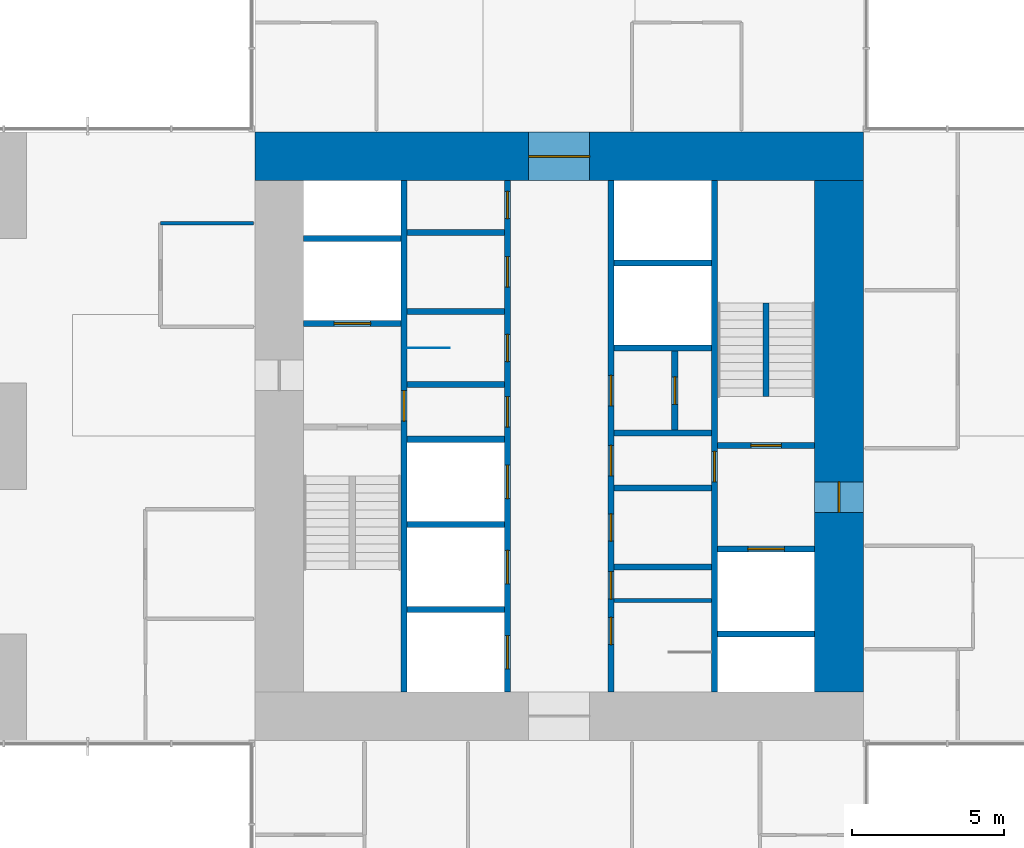
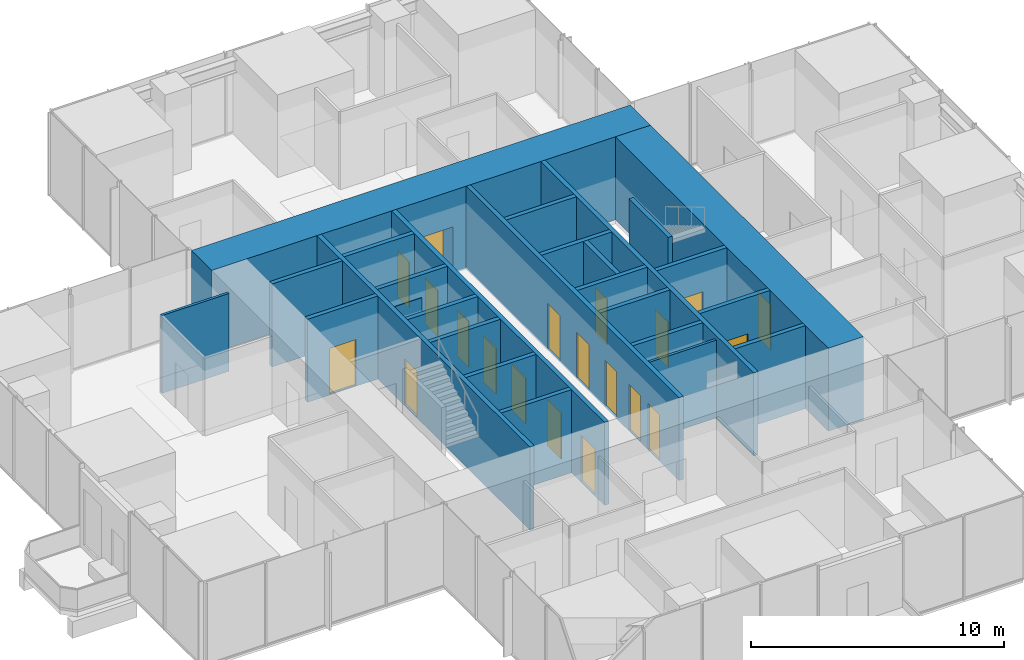
# One storey, part 9 of 13: 27 walls, 20 doors, 20 openings.
"""IFC4 building model written with IfcOpenShell, lengths in metres."""

from ifc_helpers import new_model, si_unit, direction, frame, frame_2d, origin, place, context, subcontext, project, spatial, rectangle, extrude, material, layer, layer_set, type_object, element, fill, save


model = new_model("IFC4")

# Units and contexts
model_context = context("Model", 3, precision=1e-05, world=origin(), true_north=direction((0.0, 1.0)))
body_context = subcontext(model_context, "Body", "Model", "MODEL_VIEW")
ifc_project = project(units=[si_unit("LENGTHUNIT", "METRE"), si_unit("AREAUNIT", "SQUARE_METRE"), si_unit("VOLUMEUNIT", "CUBIC_METRE"), si_unit("PLANEANGLEUNIT", "RADIAN"), si_unit("MASSUNIT", "GRAM", prefix="KILO")], contexts=[model_context])

# Site, building, storey
site_placement = place(None, origin())
site = spatial("IfcSite", under=ifc_project, at=site_placement, CompositionType="ELEMENT")
building_placement = place(site_placement, origin())
building = spatial("IfcBuilding", under=site, at=building_placement, Name="Svetlomir Tower", CompositionType="ELEMENT")
storey_placement = place(building_placement, frame((0.0, 0.0, 96.5)))
storey = spatial("IfcBuildingStorey", under=building, at=storey_placement, Name="L22", CompositionType="ELEMENT", Elevation=96.5)

# Wall, opening, door
ifc_material_1 = material(Name="Concrete C60/75", Category="concrete")
ifc_layer_1 = layer(ifc_material_1, 0.199951171875)
ifc_layer_set_1 = layer_set([ifc_layer_1], Name="Concrete C60/75")
wall_type_1 = type_object("IfcWallType", Name="CORE INNER WALL 200", PredefinedType="SHEAR", material=ifc_layer_set_1)
wall_1_placement = place(storey_placement, frame((15.89990234375, 12.60009765625, -0.050048828125), z_axis=(0.0, 0.0, 1.0), x_axis=(0.0, 1.0, 0.0)))
wall_1 = element("IfcWall", 1, at=wall_1_placement, inside=storey, type_object=wall_type_1, Name="Core inner wall 15.9 L22", PredefinedType="SHEAR", context=body_context, shape_type="SweptSolid", body=[
    extrude(rectangle(XDim=16.7998046875, YDim=0.199951171875, at=frame_2d((8.39990234375, 0.0))), origin(), (0.0, 0.0, 1.0), 4.0),
])
opening_1_placement = place(wall_1_placement, frame((8.89990234375, 0.0, 0.050048828125)))
opening_1 = element("IfcOpeningElement", 2, at=opening_1_placement, cuts=wall_1, Name="Opening DF", PredefinedType="OPENING", context=body_context, shape_type="SweptSolid", body=[
    extrude(rectangle(XDim=1.0, YDim=2.199951171875, at=frame_2d((0.5, 1.10009765625))), frame((0.0, 0.10986328125, 0.0), z_axis=(0.0, -1.0, 0.0), x_axis=(1.0, 0.0, 0.0)), (0.0, 0.0, 1.0), 0.219970703125),
])
ifc_material_2 = material(Name="Steel fire door", Category="steel")
door_type_1 = type_object("IfcDoorType", Name="DOOR DF 1000x2200", OperationType="SINGLE_SWING_LEFT", PredefinedType="DOOR", material=ifc_material_2)
door_1_placement = place(opening_1_placement, origin())
door_1 = element("IfcDoor", 3, at=door_1_placement, inside=storey, type_object=door_type_1, Name="Core corridor west door L22", OperationType="SINGLE_SWING_LEFT", OverallHeight=2.199951171875, OverallWidth=1.0, PredefinedType="DOOR", context=body_context, shape_type="SweptSolid", body=[
    extrude(rectangle(XDim=1.0, YDim=2.199951171875, at=frame_2d((0.5, 1.10009765625))), frame((0.0, 0.02490234375, 0.0), z_axis=(0.0, -1.0, 0.0), x_axis=(1.0, 0.0, 0.0)), (0.0, 0.0, 1.0), 0.050048828125),
])
fill(opening_1, door_1)

# Wall, openings, doors
wall_2_placement = place(storey_placement, frame((19.300048828125, 12.60009765625, -0.050048828125), z_axis=(0.0, 0.0, 1.0), x_axis=(0.0, 1.0, 0.0)))
wall_2 = element("IfcWall", 4, at=wall_2_placement, inside=storey, type_object=wall_type_1, Name="Core inner wall 19.3 L22", PredefinedType="SHEAR", context=body_context, shape_type="SweptSolid", body=[
    extrude(rectangle(XDim=16.7998046875, YDim=0.199951171875, at=frame_2d((8.39990234375, 0.0))), origin(), (0.0, 0.0, 1.0), 4.0),
])
opening_2_placement = place(wall_2_placement, frame((8.699951171875, 0.0, 0.050048828125)))
opening_2 = element("IfcOpeningElement", 5, at=opening_2_placement, cuts=wall_2, Name="Opening DC", PredefinedType="OPENING", context=body_context, shape_type="SweptSolid", body=[
    extrude(rectangle(XDim=1.0, YDim=2.199951171875, at=frame_2d((0.5, 1.10009765625))), frame((0.0, 0.10986328125, 0.0), z_axis=(0.0, -1.0, 0.0), x_axis=(1.0, 0.0, 0.0)), (0.0, 0.0, 1.0), 0.219970703125),
])
opening_3_placement = place(wall_2_placement, frame((10.85009765625, 0.0, 0.050048828125)))
opening_3 = element("IfcOpeningElement", 6, at=opening_3_placement, cuts=wall_2, Name="Opening DW", PredefinedType="OPENING", context=body_context, shape_type="SweptSolid", body=[
    extrude(rectangle(XDim=0.89990234375, YDim=2.199951171875, at=frame_2d((0.449951171875, 1.10009765625))), frame((0.0, 0.10986328125, 0.0), z_axis=(0.0, -1.0, 0.0), x_axis=(1.0, 0.0, 0.0)), (0.0, 0.0, 1.0), 0.219970703125),
])
opening_4_placement = place(wall_2_placement, frame((13.300048828125, 0.0, 0.050048828125)))
opening_4 = element("IfcOpeningElement", 7, at=opening_4_placement, cuts=wall_2, Name="Opening DC", PredefinedType="OPENING", context=body_context, shape_type="SweptSolid", body=[
    extrude(rectangle(XDim=1.0, YDim=2.199951171875, at=frame_2d((0.5, 1.10009765625))), frame((0.0, 0.10986328125, 0.0), z_axis=(0.0, -1.0, 0.0), x_axis=(1.0, 0.0, 0.0)), (0.0, 0.0, 1.0), 0.219970703125),
])
opening_5_placement = place(wall_2_placement, frame((15.550048828125, 0.0, 0.050048828125)))
opening_5 = element("IfcOpeningElement", 8, at=opening_5_placement, cuts=wall_2, Name="Opening DW", PredefinedType="OPENING", context=body_context, shape_type="SweptSolid", body=[
    extrude(rectangle(XDim=0.89990234375, YDim=2.199951171875, at=frame_2d((0.449951171875, 1.10009765625))), frame((0.0, 0.10986328125, 0.0), z_axis=(0.0, -1.0, 0.0), x_axis=(1.0, 0.0, 0.0)), (0.0, 0.0, 1.0), 0.219970703125),
])
opening_6_placement = place(wall_2_placement, frame((0.75, 0.0, 0.050048828125)))
opening_6 = element("IfcOpeningElement", 9, at=opening_6_placement, cuts=wall_2, Name="Opening LD", PredefinedType="OPENING", context=body_context, shape_type="SweptSolid", body=[
    extrude(rectangle(XDim=1.10009765625, YDim=2.199951171875, at=frame_2d((0.550048828125, 1.10009765625))), frame((0.0, 0.10986328125, 0.0), z_axis=(0.0, -1.0, 0.0), x_axis=(1.0, 0.0, 0.0)), (0.0, 0.0, 1.0), 0.219970703125),
])
opening_7_placement = place(wall_2_placement, frame((3.550048828125, 0.0, 0.050048828125)))
opening_7 = element("IfcOpeningElement", 10, at=opening_7_placement, cuts=wall_2, Name="Opening LD", PredefinedType="OPENING", context=body_context, shape_type="SweptSolid", body=[
    extrude(rectangle(XDim=1.10009765625, YDim=2.199951171875, at=frame_2d((0.550048828125, 1.10009765625))), frame((0.0, 0.10986328125, 0.0), z_axis=(0.0, -1.0, 0.0), x_axis=(1.0, 0.0, 0.0)), (0.0, 0.0, 1.0), 0.219970703125),
])
opening_8_placement = place(wall_2_placement, frame((6.35009765625, 0.0, 0.050048828125)))
opening_8 = element("IfcOpeningElement", 11, at=opening_8_placement, cuts=wall_2, Name="Opening LD", PredefinedType="OPENING", context=body_context, shape_type="SweptSolid", body=[
    extrude(rectangle(XDim=1.10009765625, YDim=2.199951171875, at=frame_2d((0.550048828125, 1.10009765625))), frame((0.0, 0.10986328125, 0.0), z_axis=(0.0, -1.0, 0.0), x_axis=(1.0, 0.0, 0.0)), (0.0, 0.0, 1.0), 0.219970703125),
])
ifc_material_3 = material(Name="Timber fire door", Category="wood")
door_type_2 = type_object("IfcDoorType", Name="DOOR DC 1000x2200", OperationType="SINGLE_SWING_LEFT", PredefinedType="DOOR", material=ifc_material_3)
door_2_placement = place(opening_2_placement, origin())
door_2 = element("IfcDoor", 12, at=door_2_placement, inside=storey, type_object=door_type_2, Name="Core corridor west lobby door L22", OperationType="SINGLE_SWING_RIGHT", OverallHeight=2.199951171875, OverallWidth=1.0, PredefinedType="DOOR", context=body_context, shape_type="SweptSolid", body=[
    extrude(rectangle(XDim=1.0, YDim=2.199951171875, at=frame_2d((0.5, 1.10009765625))), frame((0.0, 0.02490234375, 0.0), z_axis=(0.0, -1.0, 0.0), x_axis=(1.0, 0.0, 0.0)), (0.0, 0.0, 1.0), 0.050048828125),
])
fill(opening_2, door_2)
door_3_placement = place(opening_4_placement, origin())
door_3 = element("IfcDoor", 13, at=door_3_placement, inside=storey, type_object=door_type_2, Name="Accessible WC door L22", OperationType="SINGLE_SWING_LEFT", OverallHeight=2.199951171875, OverallWidth=1.0, PredefinedType="DOOR", context=body_context, shape_type="SweptSolid", body=[
    extrude(rectangle(XDim=1.0, YDim=2.199951171875, at=frame_2d((0.5, 1.10009765625))), frame((0.0, 0.02490234375, 0.0), z_axis=(0.0, -1.0, 0.0), x_axis=(1.0, 0.0, 0.0)), (0.0, 0.0, 1.0), 0.050048828125),
])
fill(opening_4, door_3)
ifc_material_4 = material(Name="Timber fire door", Category="wood")
door_type_3 = type_object("IfcDoorType", Name="DOOR DW 900x2200", OperationType="SINGLE_SWING_LEFT", PredefinedType="DOOR", material=ifc_material_4)
door_4_placement = place(opening_3_placement, origin())
door_4 = element("IfcDoor", 14, at=door_4_placement, inside=storey, type_object=door_type_3, Name="Female WC door L22", OperationType="SINGLE_SWING_RIGHT", OverallHeight=2.199951171875, OverallWidth=0.89990234375, PredefinedType="DOOR", context=body_context, shape_type="SweptSolid", body=[
    extrude(rectangle(XDim=0.89990234375, YDim=2.199951171875, at=frame_2d((0.449951171875, 1.10009765625))), frame((0.0, 0.02490234375, 0.0), z_axis=(0.0, -1.0, 0.0), x_axis=(1.0, 0.0, 0.0)), (0.0, 0.0, 1.0), 0.050048828125),
])
fill(opening_3, door_4)
door_5_placement = place(opening_5_placement, origin())
door_5 = element("IfcDoor", 15, at=door_5_placement, inside=storey, type_object=door_type_3, Name="First aid room door L22", OperationType="SINGLE_SWING_RIGHT", OverallHeight=2.199951171875, OverallWidth=0.89990234375, PredefinedType="DOOR", context=body_context, shape_type="SweptSolid", body=[
    extrude(rectangle(XDim=0.89990234375, YDim=2.199951171875, at=frame_2d((0.449951171875, 1.10009765625))), frame((0.0, 0.02490234375, 0.0), z_axis=(0.0, -1.0, 0.0), x_axis=(1.0, 0.0, 0.0)), (0.0, 0.0, 1.0), 0.050048828125),
])
fill(opening_5, door_5)
ifc_material_5 = material(Name="Stainless steel landing door", Category="steel")
door_type_4 = type_object("IfcDoorType", Name="LIFT LANDING DOOR LD 1100x2200", OperationType="DOUBLE_DOOR_SLIDING", PredefinedType="DOOR", material=ifc_material_5)
door_6_placement = place(opening_6_placement, origin())
door_6 = element("IfcDoor", 16, at=door_6_placement, inside=storey, type_object=door_type_4, Name="Landing door lift LB1 L22", OperationType="DOUBLE_DOOR_SLIDING", OverallHeight=2.199951171875, OverallWidth=1.10009765625, PredefinedType="DOOR", context=body_context, shape_type="SweptSolid", body=[
    extrude(rectangle(XDim=1.10009765625, YDim=2.199951171875, at=frame_2d((0.550048828125, 1.10009765625))), frame((0.0, 0.02490234375, 0.0), z_axis=(0.0, -1.0, 0.0), x_axis=(1.0, 0.0, 0.0)), (0.0, 0.0, 1.0), 0.050048828125),
])
fill(opening_6, door_6)
door_7_placement = place(opening_7_placement, origin())
door_7 = element("IfcDoor", 17, at=door_7_placement, inside=storey, type_object=door_type_4, Name="Landing door lift LB2 L22", OperationType="DOUBLE_DOOR_SLIDING", OverallHeight=2.199951171875, OverallWidth=1.10009765625, PredefinedType="DOOR", context=body_context, shape_type="SweptSolid", body=[
    extrude(rectangle(XDim=1.10009765625, YDim=2.199951171875, at=frame_2d((0.550048828125, 1.10009765625))), frame((0.0, 0.02490234375, 0.0), z_axis=(0.0, -1.0, 0.0), x_axis=(1.0, 0.0, 0.0)), (0.0, 0.0, 1.0), 0.050048828125),
])
fill(opening_7, door_7)
door_8_placement = place(opening_8_placement, origin())
door_8 = element("IfcDoor", 18, at=door_8_placement, inside=storey, type_object=door_type_4, Name="Landing door lift LB3 L22", OperationType="DOUBLE_DOOR_SLIDING", OverallHeight=2.199951171875, OverallWidth=1.10009765625, PredefinedType="DOOR", context=body_context, shape_type="SweptSolid", body=[
    extrude(rectangle(XDim=1.10009765625, YDim=2.199951171875, at=frame_2d((0.550048828125, 1.10009765625))), frame((0.0, 0.02490234375, 0.0), z_axis=(0.0, -1.0, 0.0), x_axis=(1.0, 0.0, 0.0)), (0.0, 0.0, 1.0), 0.050048828125),
])
fill(opening_8, door_8)

wall_3_placement = place(storey_placement, frame((22.699951171875, 12.60009765625, -0.050048828125), z_axis=(0.0, 0.0, 1.0), x_axis=(0.0, 1.0, 0.0)))
wall_3 = element("IfcWall", 19, at=wall_3_placement, inside=storey, type_object=wall_type_1, Name="Core inner wall 22.7 L22", PredefinedType="SHEAR", context=body_context, shape_type="SweptSolid", body=[
    extrude(rectangle(XDim=16.7998046875, YDim=0.199951171875, at=frame_2d((8.39990234375, 0.0))), origin(), (0.0, 0.0, 1.0), 4.0),
])
opening_9_placement = place(wall_3_placement, frame((3.050048828125, 0.0, 0.050048828125)))
opening_9 = element("IfcOpeningElement", 20, at=opening_9_placement, cuts=wall_3, Name="Opening DW", PredefinedType="OPENING", context=body_context, shape_type="SweptSolid", body=[
    extrude(rectangle(XDim=0.89990234375, YDim=2.199951171875, at=frame_2d((0.449951171875, 1.10009765625))), frame((0.0, 0.10986328125, 0.0), z_axis=(0.0, -1.0, 0.0), x_axis=(1.0, 0.0, 0.0)), (0.0, 0.0, 1.0), 0.219970703125),
])
opening_10_placement = place(wall_3_placement, frame((7.10009765625, 0.0, 0.050048828125)))
opening_10 = element("IfcOpeningElement", 21, at=opening_10_placement, cuts=wall_3, Name="Opening DC", PredefinedType="OPENING", context=body_context, shape_type="SweptSolid", body=[
    extrude(rectangle(XDim=1.0, YDim=2.199951171875, at=frame_2d((0.5, 1.10009765625))), frame((0.0, 0.10986328125, 0.0), z_axis=(0.0, -1.0, 0.0), x_axis=(1.0, 0.0, 0.0)), (0.0, 0.0, 1.0), 0.219970703125),
])
opening_11_placement = place(wall_3_placement, frame((1.550048828125, 0.0, 0.050048828125)))
opening_11 = element("IfcOpeningElement", 22, at=opening_11_placement, cuts=wall_3, Name="Opening DW", PredefinedType="OPENING", context=body_context, shape_type="SweptSolid", body=[
    extrude(rectangle(XDim=0.89990234375, YDim=2.199951171875, at=frame_2d((0.449951171875, 1.10009765625))), frame((0.0, 0.10986328125, 0.0), z_axis=(0.0, -1.0, 0.0), x_axis=(1.0, 0.0, 0.0)), (0.0, 0.0, 1.0), 0.219970703125),
])
opening_12_placement = place(wall_3_placement, frame((4.949951171875, 0.0, 0.050048828125)))
opening_12 = element("IfcOpeningElement", 23, at=opening_12_placement, cuts=wall_3, Name="Opening DW", PredefinedType="OPENING", context=body_context, shape_type="SweptSolid", body=[
    extrude(rectangle(XDim=0.89990234375, YDim=2.199951171875, at=frame_2d((0.449951171875, 1.10009765625))), frame((0.0, 0.10986328125, 0.0), z_axis=(0.0, -1.0, 0.0), x_axis=(1.0, 0.0, 0.0)), (0.0, 0.0, 1.0), 0.219970703125),
])
opening_13_placement = place(wall_3_placement, frame((9.39990234375, 0.0, 0.050048828125)))
opening_13 = element("IfcOpeningElement", 24, at=opening_13_placement, cuts=wall_3, Name="Opening DC", PredefinedType="OPENING", context=body_context, shape_type="SweptSolid", body=[
    extrude(rectangle(XDim=1.0, YDim=2.199951171875, at=frame_2d((0.5, 1.10009765625))), frame((0.0, 0.10986328125, 0.0), z_axis=(0.0, -1.0, 0.0), x_axis=(1.0, 0.0, 0.0)), (0.0, 0.0, 1.0), 0.219970703125),
])
door_9_placement = place(opening_10_placement, origin())
door_9 = element("IfcDoor", 25, at=door_9_placement, inside=storey, type_object=door_type_2, Name="Core corridor east lobby door L22", OperationType="SINGLE_SWING_LEFT", OverallHeight=2.199951171875, OverallWidth=1.0, PredefinedType="DOOR", context=body_context, shape_type="SweptSolid", body=[
    extrude(rectangle(XDim=1.0, YDim=2.199951171875, at=frame_2d((0.5, 1.10009765625))), frame((0.0, 0.02490234375, 0.0), z_axis=(0.0, -1.0, 0.0), x_axis=(1.0, 0.0, 0.0)), (0.0, 0.0, 1.0), 0.050048828125),
])
fill(opening_10, door_9)
door_10_placement = place(opening_13_placement, origin())
door_10 = element("IfcDoor", 26, at=door_10_placement, inside=storey, type_object=door_type_2, Name="Converted shaft BANK-E1 room door L22", OperationType="SINGLE_SWING_LEFT", OverallHeight=2.199951171875, OverallWidth=1.0, PredefinedType="DOOR", context=body_context, shape_type="SweptSolid", body=[
    extrude(rectangle(XDim=1.0, YDim=2.199951171875, at=frame_2d((0.5, 1.10009765625))), frame((0.0, 0.02490234375, 0.0), z_axis=(0.0, -1.0, 0.0), x_axis=(1.0, 0.0, 0.0)), (0.0, 0.0, 1.0), 0.050048828125),
])
fill(opening_13, door_10)
door_11_placement = place(opening_9_placement, origin())
door_11 = element("IfcDoor", 27, at=door_11_placement, inside=storey, type_object=door_type_3, Name="Shower and changing room door L22", OperationType="SINGLE_SWING_LEFT", OverallHeight=2.199951171875, OverallWidth=0.89990234375, PredefinedType="DOOR", context=body_context, shape_type="SweptSolid", body=[
    extrude(rectangle(XDim=0.89990234375, YDim=2.199951171875, at=frame_2d((0.449951171875, 1.10009765625))), frame((0.0, 0.02490234375, 0.0), z_axis=(0.0, -1.0, 0.0), x_axis=(1.0, 0.0, 0.0)), (0.0, 0.0, 1.0), 0.050048828125),
])
fill(opening_9, door_11)
door_12_placement = place(opening_11_placement, origin())
door_12 = element("IfcDoor", 28, at=door_12_placement, inside=storey, type_object=door_type_3, Name="Male WC door L22", OperationType="SINGLE_SWING_RIGHT", OverallHeight=2.199951171875, OverallWidth=0.89990234375, PredefinedType="DOOR", context=body_context, shape_type="SweptSolid", body=[
    extrude(rectangle(XDim=0.89990234375, YDim=2.199951171875, at=frame_2d((0.449951171875, 1.10009765625))), frame((0.0, 0.02490234375, 0.0), z_axis=(0.0, -1.0, 0.0), x_axis=(1.0, 0.0, 0.0)), (0.0, 0.0, 1.0), 0.050048828125),
])
fill(opening_11, door_12)
door_13_placement = place(opening_12_placement, origin())
door_13 = element("IfcDoor", 29, at=door_13_placement, inside=storey, type_object=door_type_3, Name="Comms room door L22", OperationType="SINGLE_SWING_RIGHT", OverallHeight=2.199951171875, OverallWidth=0.89990234375, PredefinedType="DOOR", context=body_context, shape_type="SweptSolid", body=[
    extrude(rectangle(XDim=0.89990234375, YDim=2.199951171875, at=frame_2d((0.449951171875, 1.10009765625))), frame((0.0, 0.02490234375, 0.0), z_axis=(0.0, -1.0, 0.0), x_axis=(1.0, 0.0, 0.0)), (0.0, 0.0, 1.0), 0.050048828125),
])
fill(opening_12, door_13)

# Wall, opening, door
wall_4_placement = place(storey_placement, frame((26.10009765625, 12.60009765625, -0.050048828125), z_axis=(0.0, 0.0, 1.0), x_axis=(0.0, 1.0, 0.0)))
wall_4 = element("IfcWall", 30, at=wall_4_placement, inside=storey, type_object=wall_type_1, Name="Core inner wall 26.1 L22", PredefinedType="SHEAR", context=body_context, shape_type="SweptSolid", body=[
    extrude(rectangle(XDim=16.7998046875, YDim=0.199951171875, at=frame_2d((8.39990234375, 0.0))), origin(), (0.0, 0.0, 1.0), 4.0),
])
opening_14_placement = place(wall_4_placement, frame((6.89990234375, 0.0, 0.050048828125)))
opening_14 = element("IfcOpeningElement", 31, at=opening_14_placement, cuts=wall_4, Name="Opening DF", PredefinedType="OPENING", context=body_context, shape_type="SweptSolid", body=[
    extrude(rectangle(XDim=1.0, YDim=2.199951171875, at=frame_2d((0.5, 1.10009765625))), frame((0.0, 0.10986328125, 0.0), z_axis=(0.0, -1.0, 0.0), x_axis=(1.0, 0.0, 0.0)), (0.0, 0.0, 1.0), 0.219970703125),
])
door_14_placement = place(opening_14_placement, origin())
door_14 = element("IfcDoor", 32, at=door_14_placement, inside=storey, type_object=door_type_1, Name="Core corridor east door L22", OperationType="SINGLE_SWING_LEFT", OverallHeight=2.199951171875, OverallWidth=1.0, PredefinedType="DOOR", context=body_context, shape_type="SweptSolid", body=[
    extrude(rectangle(XDim=1.0, YDim=2.199951171875, at=frame_2d((0.5, 1.10009765625))), frame((0.0, 0.02490234375, 0.0), z_axis=(0.0, -1.0, 0.0), x_axis=(1.0, 0.0, 0.0)), (0.0, 0.0, 1.0), 0.050048828125),
])
fill(opening_14, door_14)

wall_5_placement = place(storey_placement, frame((12.60009765625, 24.699951171875, -0.050048828125), z_axis=(0.0, 0.0, 1.0), x_axis=(1.0, 0.0, 0.0)))
wall_5 = element("IfcWall", 33, at=wall_5_placement, inside=storey, type_object=wall_type_1, Name="Core inner wall 12.6-15.8/24.7 L22", PredefinedType="SHEAR", context=body_context, shape_type="SweptSolid", body=[
    extrude(rectangle(XDim=3.199951171875, YDim=0.199951171875, at=frame_2d((1.60009765625, 0.0))), origin(), (0.0, 0.0, 1.0), 4.0),
])
opening_15_placement = place(wall_5_placement, frame((1.0, 0.0, 0.050048828125)))
opening_15 = element("IfcOpeningElement", 34, at=opening_15_placement, cuts=wall_5, Name="Opening LD3", PredefinedType="OPENING", context=body_context, shape_type="SweptSolid", body=[
    extrude(rectangle(XDim=1.199951171875, YDim=2.199951171875, at=frame_2d((0.60009765625, 1.10009765625))), frame((0.0, 0.10986328125, 0.0), z_axis=(0.0, -1.0, 0.0), x_axis=(1.0, 0.0, 0.0)), (0.0, 0.0, 1.0), 0.219970703125),
])
ifc_material_6 = material(Name="Stainless steel fire-rated landing door", Category="steel")
door_type_5 = type_object("IfcDoorType", Name="FIREFIGHTING LIFT LANDING DOOR LD3 1200x2200", OperationType="DOUBLE_DOOR_SLIDING", PredefinedType="DOOR", material=ifc_material_6)
door_15_placement = place(opening_15_placement, origin())
door_15 = element("IfcDoor", 35, at=door_15_placement, inside=storey, type_object=door_type_5, Name="Landing door lift FL1 L22", OperationType="DOUBLE_DOOR_SLIDING", OverallHeight=2.199951171875, OverallWidth=1.199951171875, PredefinedType="DOOR", context=body_context, shape_type="SweptSolid", body=[
    extrude(rectangle(XDim=1.199951171875, YDim=2.199951171875, at=frame_2d((0.60009765625, 1.10009765625))), frame((0.0, 0.02490234375, 0.0), z_axis=(0.0, -1.0, 0.0), x_axis=(1.0, 0.0, 0.0)), (0.0, 0.0, 1.0), 0.050048828125),
])
fill(opening_15, door_15)

# Walls
for number, where, z_axis, x_axis, name in (
    (36, (12.60009765625, 27.5, -0.050048828125), (0.0, 0.0, 1.0), (1.0, 0.0, 0.0), "Core inner wall 12.6-15.8/27.5 L22"),
    (37, (16.0, 15.300048828125, -0.050048828125), (0.0, 0.0, 1.0), (1.0, 0.0, 0.0), "Core inner wall 16-19.2/15.3 L22"),
    (38, (16.0, 18.10009765625, -0.050048828125), (0.0, 0.0, 1.0), (1.0, 0.0, 0.0), "Core inner wall 16-19.2/18.1 L22"),
    (39, (16.0, 20.89990234375, -0.050048828125), (0.0, 0.0, 1.0), (1.0, 0.0, 0.0), "Core inner wall 16-19.2/20.9 L22"),
    (40, (16.0, 22.699951171875, -0.050048828125), (0.0, 0.0, 1.0), (1.0, 0.0, 0.0), "Core inner wall 16-19.2/22.7 L22"),
    (41, (16.0, 25.10009765625, -0.050048828125), (0.0, 0.0, 1.0), (1.0, 0.0, 0.0), "Core inner wall 16-19.2/25.1 L22"),
    (42, (16.0, 27.699951171875, -0.050048828125), (0.0, 0.0, 1.0), (1.0, 0.0, 0.0), "Core inner wall 16-19.2/27.7 L22"),
    (43, (22.800048828125, 16.699951171875, -0.050048828125), (0.0, 0.0, 1.0), (1.0, 0.0, 0.0), "Core inner wall 22.8-26/16.7 L22"),
    (44, (22.800048828125, 19.300048828125, -0.050048828125), (0.0, 0.0, 1.0), (1.0, 0.0, 0.0), "Core inner wall 22.8-26/19.3 L22"),
    (45, (22.800048828125, 21.10009765625, -0.050048828125), (0.0, 0.0, 1.0), (1.0, 0.0, 0.0), "Core inner wall 22.8-26/21.1 L22"),
    (46, (22.800048828125, 23.89990234375, -0.050048828125), (0.0, 0.0, 1.0), (1.0, 0.0, 0.0), "Core inner wall 22.8-26/23.9 L22"),
    (47, (22.800048828125, 26.699951171875, -0.050048828125), (0.0, 0.0, 1.0), (1.0, 0.0, 0.0), "Core inner wall 22.8-26/26.7 L22"),
    (48, (26.199951171875, 14.5, -0.050048828125), (0.0, 0.0, 1.0), (1.0, 0.0, 0.0), "Core inner wall 26.2-29.4/14.5 L22"),
):
    element("IfcWall", number, at=place(storey_placement, frame(where, z_axis=z_axis, x_axis=x_axis)), inside=storey, type_object=wall_type_1, Name=name, PredefinedType="SHEAR", context=body_context, shape_type="SweptSolid", body=[
        extrude(rectangle(XDim=3.199951171875, YDim=0.199951171875, at=frame_2d((1.60009765625, 0.0))), origin(), (0.0, 0.0, 1.0), 4.0),
    ])

# Wall, opening, door
wall_6_placement = place(storey_placement, frame((26.199951171875, 17.300048828125, -0.050048828125), z_axis=(0.0, 0.0, 1.0), x_axis=(1.0, 0.0, 0.0)))
wall_6 = element("IfcWall", 49, at=wall_6_placement, inside=storey, type_object=wall_type_1, Name="Core inner wall 26.2-29.4/17.3 L22", PredefinedType="SHEAR", context=body_context, shape_type="SweptSolid", body=[
    extrude(rectangle(XDim=3.199951171875, YDim=0.199951171875, at=frame_2d((1.60009765625, 0.0))), origin(), (0.0, 0.0, 1.0), 4.0),
])
opening_16_placement = place(wall_6_placement, frame((1.0, 0.0, 0.050048828125)))
opening_16 = element("IfcOpeningElement", 50, at=opening_16_placement, cuts=wall_6, Name="Opening LD3", PredefinedType="OPENING", context=body_context, shape_type="SweptSolid", body=[
    extrude(rectangle(XDim=1.199951171875, YDim=2.199951171875, at=frame_2d((0.60009765625, 1.10009765625))), frame((0.0, 0.10986328125, 0.0), z_axis=(0.0, -1.0, 0.0), x_axis=(1.0, 0.0, 0.0)), (0.0, 0.0, 1.0), 0.219970703125),
])
door_16_placement = place(opening_16_placement, origin())
door_16 = element("IfcDoor", 51, at=door_16_placement, inside=storey, type_object=door_type_5, Name="Landing door lift FL2 L22", OperationType="DOUBLE_DOOR_SLIDING", OverallHeight=2.199951171875, OverallWidth=1.199951171875, PredefinedType="DOOR", context=body_context, shape_type="SweptSolid", body=[
    extrude(rectangle(XDim=1.199951171875, YDim=2.199951171875, at=frame_2d((0.60009765625, 1.10009765625))), frame((0.0, 0.02490234375, 0.0), z_axis=(0.0, -1.0, 0.0), x_axis=(1.0, 0.0, 0.0)), (0.0, 0.0, 1.0), 0.050048828125),
])
fill(opening_16, door_16)

wall_7_placement = place(storey_placement, frame((26.199951171875, 20.699951171875, -0.050048828125), z_axis=(0.0, 0.0, 1.0), x_axis=(1.0, 0.0, 0.0)))
wall_7 = element("IfcWall", 52, at=wall_7_placement, inside=storey, type_object=wall_type_1, Name="Core inner wall 26.2-29.4/20.7 L22", PredefinedType="SHEAR", context=body_context, shape_type="SweptSolid", body=[
    extrude(rectangle(XDim=3.199951171875, YDim=0.199951171875, at=frame_2d((1.60009765625, 0.0))), origin(), (0.0, 0.0, 1.0), 4.0),
])
opening_17_placement = place(wall_7_placement, frame((1.10009765625, 0.0, 0.050048828125)))
opening_17 = element("IfcOpeningElement", 53, at=opening_17_placement, cuts=wall_7, Name="Opening DF", PredefinedType="OPENING", context=body_context, shape_type="SweptSolid", body=[
    extrude(rectangle(XDim=1.0, YDim=2.199951171875, at=frame_2d((0.5, 1.10009765625))), frame((0.0, 0.10986328125, 0.0), z_axis=(0.0, -1.0, 0.0), x_axis=(1.0, 0.0, 0.0)), (0.0, 0.0, 1.0), 0.219970703125),
])
door_17_placement = place(opening_17_placement, origin())
door_17 = element("IfcDoor", 54, at=door_17_placement, inside=storey, type_object=door_type_1, Name="Stair S2 door L22", OperationType="SINGLE_SWING_LEFT", OverallHeight=2.199951171875, OverallWidth=1.0, PredefinedType="DOOR", context=body_context, shape_type="SweptSolid", body=[
    extrude(rectangle(XDim=1.0, YDim=2.199951171875, at=frame_2d((0.5, 1.10009765625))), frame((0.0, 0.02490234375, 0.0), z_axis=(0.0, -1.0, 0.0), x_axis=(1.0, 0.0, 0.0)), (0.0, 0.0, 1.0), 0.050048828125),
])
fill(opening_17, door_17)

wall_8_placement = place(storey_placement, frame((24.800048828125, 21.199951171875, -0.050048828125), z_axis=(0.0, 0.0, 1.0), x_axis=(0.0, 1.0, 0.0)))
wall_8 = element("IfcWall", 55, at=wall_8_placement, inside=storey, type_object=wall_type_1, Name="Core inner wall 24.8/21.2-23.8 L22", PredefinedType="SHEAR", context=body_context, shape_type="SweptSolid", body=[
    extrude(rectangle(XDim=2.60009765625, YDim=0.199951171875, at=frame_2d((1.300048828125, 0.0))), origin(), (0.0, 0.0, 1.0), 4.0),
])
opening_18_placement = place(wall_8_placement, frame((0.85009765625, 0.0, 0.050048828125)))
opening_18 = element("IfcOpeningElement", 56, at=opening_18_placement, cuts=wall_8, Name="Opening DW", PredefinedType="OPENING", context=body_context, shape_type="SweptSolid", body=[
    extrude(rectangle(XDim=0.89990234375, YDim=2.199951171875, at=frame_2d((0.449951171875, 1.10009765625))), frame((0.0, 0.10986328125, 0.0), z_axis=(0.0, -1.0, 0.0), x_axis=(1.0, 0.0, 0.0)), (0.0, 0.0, 1.0), 0.219970703125),
])
door_18_placement = place(opening_18_placement, origin())
door_18 = element("IfcDoor", 57, at=door_18_placement, inside=storey, type_object=door_type_3, Name="Converted shaft BANK-E1 back room door L22", OperationType="SINGLE_SWING_RIGHT", OverallHeight=2.199951171875, OverallWidth=0.89990234375, PredefinedType="DOOR", context=body_context, shape_type="SweptSolid", body=[
    extrude(rectangle(XDim=0.89990234375, YDim=2.199951171875, at=frame_2d((0.449951171875, 1.10009765625))), frame((0.0, 0.02490234375, 0.0), z_axis=(0.0, -1.0, 0.0), x_axis=(1.0, 0.0, 0.0)), (0.0, 0.0, 1.0), 0.050048828125),
])
fill(opening_18, door_18)

ifc_material_7 = material(Name="Concrete C60/75", Category="concrete")
ifc_layer_2 = layer(ifc_material_7, 1.60009765625)
ifc_layer_set_2 = layer_set([ifc_layer_2], Name="Concrete C60/75")
wall_type_2 = type_object("IfcWallType", Name="CORE WALL 1600", PredefinedType="SHEAR", material=ifc_layer_set_2)
wall_9_placement = place(storey_placement, frame((11.0, 30.199951171875, -0.050048828125), z_axis=(0.0, 0.0, 1.0), x_axis=(1.0, 0.0, 0.0)))
wall_9 = element("IfcWall", 58, at=wall_9_placement, inside=storey, type_object=wall_type_2, Name="Core wall north L22", PredefinedType="SHEAR", context=body_context, shape_type="SweptSolid", body=[
    extrude(rectangle(XDim=20.0, YDim=1.60009765625, at=frame_2d((10.0, 0.0))), origin(), (0.0, 0.0, 1.0), 4.0),
])
opening_19_placement = place(wall_9_placement, frame((9.0, 0.0, 0.050048828125)))
opening_19 = element("IfcOpeningElement", 59, at=opening_19_placement, cuts=wall_9, Name="Opening DL", PredefinedType="OPENING", context=body_context, shape_type="SweptSolid", body=[
    extrude(rectangle(XDim=2.0, YDim=2.199951171875, at=frame_2d((1.0, 1.10009765625))), frame((0.0, 0.81005859375, 0.0), z_axis=(0.0, -1.0, 0.0), x_axis=(1.0, 0.0, 0.0)), (0.0, 0.0, 1.0), 1.6201171875),
])
ifc_material_8 = material(Name="Steel fire door", Category="steel")
door_type_6 = type_object("IfcDoorType", Name="DOOR DL 2000x2200", OperationType="DOUBLE_DOOR_SINGLE_SWING", PredefinedType="DOOR", material=ifc_material_8)
door_19_placement = place(opening_19_placement, origin())
door_19 = element("IfcDoor", 60, at=door_19_placement, inside=storey, type_object=door_type_6, Name="Lift lobby north door L22", OperationType="DOUBLE_DOOR_SINGLE_SWING", OverallHeight=2.199951171875, OverallWidth=2.0, PredefinedType="DOOR", context=body_context, shape_type="SweptSolid", body=[
    extrude(rectangle(XDim=2.0, YDim=2.199951171875, at=frame_2d((1.0, 1.10009765625))), frame((0.0, 0.02490234375, 0.0), z_axis=(0.0, -1.0, 0.0), x_axis=(1.0, 0.0, 0.0)), (0.0, 0.0, 1.0), 0.050048828125),
])
fill(opening_19, door_19)

wall_10_placement = place(storey_placement, frame((30.199951171875, 12.60009765625, -0.050048828125), z_axis=(0.0, 0.0, 1.0), x_axis=(0.0, 1.0, 0.0)))
wall_10 = element("IfcWall", 61, at=wall_10_placement, inside=storey, type_object=wall_type_2, Name="Core wall east L22", PredefinedType="SHEAR", context=body_context, shape_type="SweptSolid", body=[
    extrude(rectangle(XDim=16.7998046875, YDim=1.60009765625, at=frame_2d((8.39990234375, 0.0))), origin(), (0.0, 0.0, 1.0), 4.0),
])
opening_20_placement = place(wall_10_placement, frame((5.89990234375, 0.0, 0.050048828125)))
opening_20 = element("IfcOpeningElement", 62, at=opening_20_placement, cuts=wall_10, Name="Opening DF", PredefinedType="OPENING", context=body_context, shape_type="SweptSolid", body=[
    extrude(rectangle(XDim=1.0, YDim=2.199951171875, at=frame_2d((0.5, 1.10009765625))), frame((0.0, 0.81005859375, 0.0), z_axis=(0.0, -1.0, 0.0), x_axis=(1.0, 0.0, 0.0)), (0.0, 0.0, 1.0), 1.6201171875),
])
door_20_placement = place(opening_20_placement, origin())
door_20 = element("IfcDoor", 63, at=door_20_placement, inside=storey, type_object=door_type_1, Name="Firefighting lobby east door L22", OperationType="SINGLE_SWING_LEFT", OverallHeight=2.199951171875, OverallWidth=1.0, PredefinedType="DOOR", context=body_context, shape_type="SweptSolid", body=[
    extrude(rectangle(XDim=1.0, YDim=2.199951171875, at=frame_2d((0.5, 1.10009765625))), frame((0.0, 0.02490234375, 0.0), z_axis=(0.0, -1.0, 0.0), x_axis=(1.0, 0.0, 0.0)), (0.0, 0.0, 1.0), 0.050048828125),
])
fill(opening_20, door_20)

# Walls
ifc_material_9 = material(Name="Gypsum board on steel studs", Category="steel")
ifc_layer_3 = layer(ifc_material_9, 0.1201171875)
ifc_layer_set_3 = layer_set([ifc_layer_3], Name="Gypsum board on steel studs")
wall_type_3 = type_object("IfcWallType", Name="PARTITION 120", PredefinedType="PARTITIONING", material=ifc_layer_set_3)
wall_11_placement = place(storey_placement, frame((22.800048828125, 15.60009765625, 0.0), z_axis=(0.0, 0.0, 1.0), x_axis=(1.0, 0.0, 0.0)))
element("IfcWall", 64, at=wall_11_placement, inside=storey, type_object=wall_type_3, Name="Shower room partition L22", PredefinedType="PARTITIONING", context=body_context, shape_type="SweptSolid", body=[
    extrude(rectangle(XDim=3.199951171875, YDim=0.1201171875, at=frame_2d((1.60009765625, 0.0))), origin(), (0.0, 0.0, 1.0), 3.75),
])
wall_12_placement = place(storey_placement, frame((7.89990234375, 28.0, 0.0), z_axis=(0.0, 0.0, 1.0), x_axis=(1.0, 0.0, 0.0)))
element("IfcWall", 65, at=wall_12_placement, inside=storey, type_object=wall_type_3, Name="Partition L22", PredefinedType="PARTITIONING", context=body_context, shape_type="SweptSolid", body=[
    extrude(rectangle(XDim=3.050048828125, YDim=0.1201171875, at=frame_2d((1.52490234375, 0.0))), origin(), (0.0, 0.0, 1.0), 3.75),
])
ifc_material_10 = material(Name="Concrete C60/75", Category="concrete")
ifc_layer_4 = layer(ifc_material_10, 0.199951171875)
ifc_layer_set_4 = layer_set([ifc_layer_4], Name="Concrete C60/75")
wall_type_4 = type_object("IfcWallType", Name="STAIR SPINE WALL 200", PredefinedType="PARTITIONING", material=ifc_layer_set_4)
wall_13_placement = place(storey_placement, frame((27.800048828125, 22.300048828125, 0.0), z_axis=(0.0, 0.0, 1.0), x_axis=(0.0, 1.0, 0.0)))
element("IfcWall", 66, at=wall_13_placement, inside=storey, type_object=wall_type_4, Name="Stair S2 spine wall L22", PredefinedType="PARTITIONING", context=body_context, shape_type="SweptSolid", body=[
    extrude(rectangle(XDim=3.079833984375, YDim=0.199951171875, at=frame_2d((1.5400390625, 0.0))), origin(), (0.0, 0.0, 1.0), 4.0),
])
ifc_material_11 = material(Name="Compact laminate panel", Category="plastic")
ifc_layer_5 = layer(ifc_material_11, 0.030029296875)
ifc_layer_set_5 = layer_set([ifc_layer_5], Name="Compact laminate panel")
wall_type_5 = type_object("IfcWallType", Name="WC CUBICLE PARTITION 30", PredefinedType="PARTITIONING", material=ifc_layer_set_5)
wall_14_placement = place(storey_placement, frame((16.0, 23.89990234375, 0.0), z_axis=(0.0, 0.0, 1.0), x_axis=(1.0, 0.0, 0.0)))
element("IfcWall", 67, at=wall_14_placement, inside=storey, type_object=wall_type_5, Name="WC cubicle partition L22", PredefinedType="PARTITIONING", context=body_context, shape_type="SweptSolid", body=[
    extrude(rectangle(XDim=1.39990234375, YDim=0.030029296875, at=frame_2d((0.699951171875, 0.0))), origin(), (0.0, 0.0, 1.0), 3.75),
])

save(model, "model.ifc")
